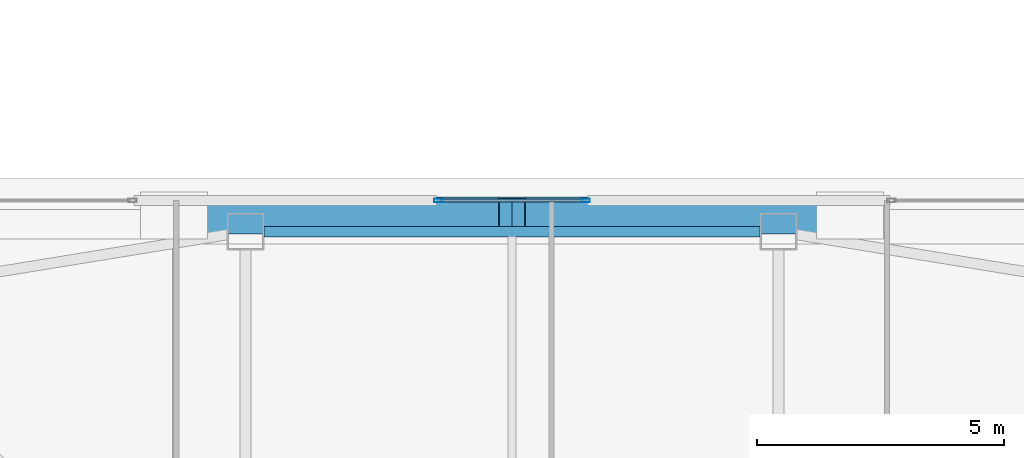
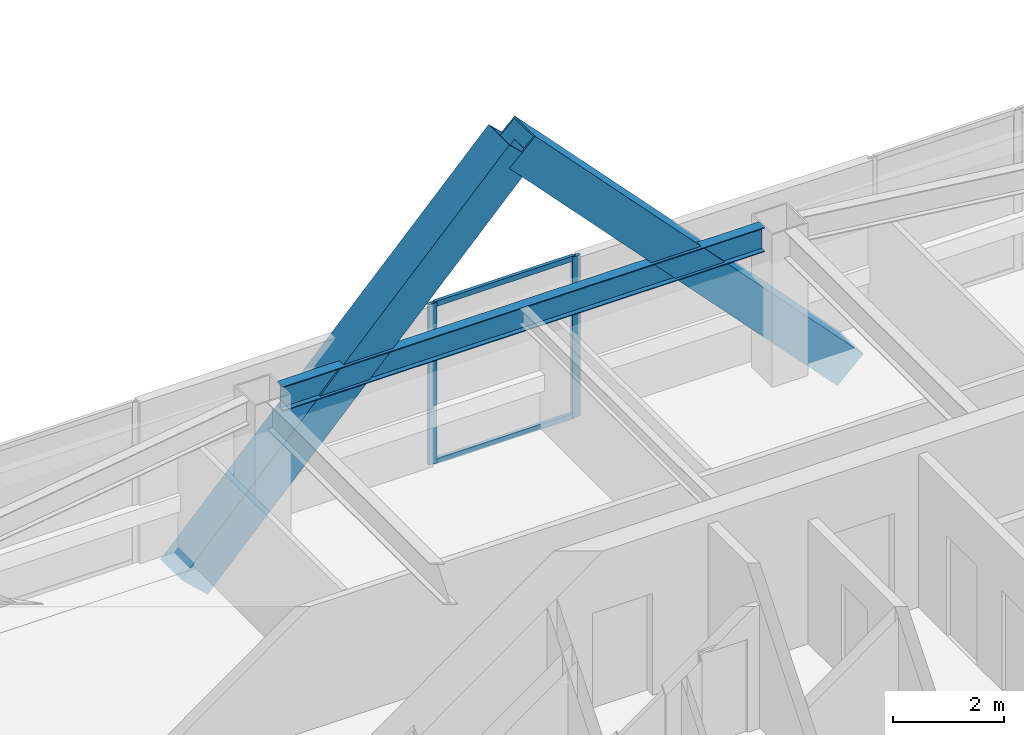
# One storey, part 15 of 39: 6 members, 1 beam, 1 element without a shape of its own.
"""IFC4 building model written with IfcOpenShell, lengths in metres."""

from ifc_helpers import new_model, si_unit, direction, frame, origin, origin_2d, place, context, subcontext, project, spatial, hollow_rectangle, i_section, extrude, material, material_profile, profile_set, type_object, element, aggregate, save


model = new_model("IFC4")

# Units and contexts
model_context = context("Model", 3, precision=1e-05, world=origin(), true_north=direction((0.0, 1.0)))
body_context = subcontext(model_context, "Body", "Model", "MODEL_VIEW")
ifc_project = project(units=[si_unit("LENGTHUNIT", "METRE"), si_unit("AREAUNIT", "SQUARE_METRE"), si_unit("VOLUMEUNIT", "CUBIC_METRE"), si_unit("PLANEANGLEUNIT", "RADIAN"), si_unit("MASSUNIT", "GRAM", prefix="KILO")], contexts=[model_context])

# Site, building, storey
site_placement = place(None, origin())
site = spatial("IfcSite", under=ifc_project, at=site_placement, CompositionType="ELEMENT")
building_placement = place(site_placement, origin())
building = spatial("IfcBuilding", under=site, at=building_placement, Name="Tashvorn Skyway Center", CompositionType="ELEMENT")
storey_placement = place(building_placement, frame((0.0, 0.0, 239.699951171875)))
storey = spatial("IfcBuildingStorey", under=building, at=storey_placement, Name="L65", CompositionType="ELEMENT", Elevation=239.699951171875)

# Beam
ifc_material_1 = material(Name="Steel ASTM A992 Grade 50", Category="steel")
ifc_material_profile_1 = material_profile(ifc_material_1, i_section(OverallWidth=0.2109375, OverallDepth=0.5390625, WebThickness=0.01171875, FlangeThickness=0.018798828125, at=origin_2d()), Name="W21X73")
ifc_profile_set_1 = profile_set([ifc_material_profile_1], Name="Steel ASTM A992 Grade 50")
beam_type = type_object("IfcBeamType", Name="BM-SPANDREL-W21X73", PredefinedType="SPANDREL", material=ifc_profile_set_1)
beam_placement = place(storey_placement, frame((47.030029296875, 47.050048828125, 3.1005859375), z_axis=(-1.0, 0.0, 0.0), x_axis=(0.0, -1.0, 0.0)))
element("IfcBeam", 1, at=beam_placement, inside=storey, type_object=beam_type, Name="Tower 1 L65 Spandrel Beam 08", PredefinedType="SPANDREL", context=body_context, shape_type="SweptSolid", body=[
    extrude(i_section(OverallWidth=0.2109375, OverallDepth=0.5390625, WebThickness=0.01171875, FlangeThickness=0.018798828125, at=origin_2d()), origin(), (0.0, 0.0, 1.0), 10.06005859375),
])

# Curtain wall, members
ifc_material_2 = material(Name="Thermally broken bronze-anodized aluminium 6063-T6", Category="aluminium")
curtain_wall_type = type_object("IfcCurtainWallType", Name="CW-CW-Z5", PredefinedType="NOTDEFINED", material=ifc_material_2)
curtain_wall_placement = place(storey_placement, origin())
curtain_wall = element("IfcCurtainWall", 2, at=curtain_wall_placement, inside=storey, type_object=curtain_wall_type, Name="Tower 1 L65 North Unitised Curtain Wall Glazing Group 2", PredefinedType="NOTDEFINED")
ifc_material_profile_2 = material_profile(ifc_material_2, hollow_rectangle(XDim=0.070068359375, YDim=0.1650390625, WallThickness=0.00390625, at=origin_2d()), Name="ALU-MULL-70x165")
ifc_profile_set_2 = profile_set([ifc_material_profile_2], Name="Thermally broken bronze-anodized aluminium 6063-T6")
member_type_1 = type_object("IfcMemberType", Name="CWM-CW-Z5", PredefinedType="MULLION", material=ifc_profile_set_2)
member_1_placement = place(storey_placement, frame((40.50390625, 47.679931640625, 0.0), z_axis=(0.0, 0.0, 1.0), x_axis=(0.0, 1.0, 0.0)))
member_1 = element("IfcMember", 3, at=member_1_placement, type_object=member_type_1, Name="CW-Z5 mullion 1", PredefinedType="MULLION", context=body_context, shape_type="SweptSolid", body=[
    extrude(hollow_rectangle(XDim=0.070068359375, YDim=0.1650390625, WallThickness=0.00390625, at=origin_2d()), origin(), (0.0, 0.0, 1.0), 3.550048828125),
])
member_2_placement = place(storey_placement, frame((43.49609375, 47.679931640625, 0.0), z_axis=(0.0, 0.0, 1.0), x_axis=(0.0, 1.0, 0.0)))
member_2 = element("IfcMember", 4, at=member_2_placement, type_object=member_type_1, Name="CW-Z5 mullion 2", PredefinedType="MULLION", context=body_context, shape_type="SweptSolid", body=[
    extrude(hollow_rectangle(XDim=0.070068359375, YDim=0.1650390625, WallThickness=0.00390625, at=origin_2d()), origin(), (0.0, 0.0, 1.0), 3.550048828125),
])
ifc_material_profile_3 = material_profile(ifc_material_2, hollow_rectangle(XDim=0.070068359375, YDim=0.114990234375, WallThickness=0.00390625, at=origin_2d()), Name="ALU-TRAN-70x115")
ifc_profile_set_3 = profile_set([ifc_material_profile_3], Name="Thermally broken bronze-anodized aluminium 6063-T6")
member_type_2 = type_object("IfcMemberType", Name="CWT-CW-Z5", PredefinedType="USERDEFINED", material=ifc_profile_set_3)
member_3_placement = place(storey_placement, frame((40.538818359375, 47.679931640625, 0.03515625), z_axis=(1.0, 0.0, 0.0), x_axis=(0.0, 1.0, 0.0)))
member_3 = element("IfcMember", 5, at=member_3_placement, type_object=member_type_2, Name="CW-Z5 transom 1.1", ObjectType="TRANSOM", PredefinedType="USERDEFINED", context=body_context, shape_type="SweptSolid", body=[
    extrude(hollow_rectangle(XDim=0.070068359375, YDim=0.114990234375, WallThickness=0.00390625, at=origin_2d()), origin(), (0.0, 0.0, 1.0), 2.92236328125),
])
member_4_placement = place(storey_placement, frame((40.538818359375, 47.679931640625, 3.51513671875), z_axis=(1.0, 0.0, 0.0), x_axis=(0.0, 1.0, 0.0)))
member_4 = element("IfcMember", 6, at=member_4_placement, type_object=member_type_2, Name="CW-Z5 transom 1.2", ObjectType="TRANSOM", PredefinedType="USERDEFINED", context=body_context, shape_type="SweptSolid", body=[
    extrude(hollow_rectangle(XDim=0.070068359375, YDim=0.114990234375, WallThickness=0.00390625, at=origin_2d()), origin(), (0.0, 0.0, 1.0), 2.92236328125),
])
aggregate(curtain_wall, [member_1, member_2, member_3, member_4])

# Members
ifc_material_3 = material(Name="Steel ASTM A572 Grade 50", Category="steel")
ifc_material_profile_4 = material_profile(ifc_material_3, hollow_rectangle(XDim=0.75, YDim=0.75, WallThickness=0.031982421875, at=origin_2d()), Name="BOX750x750x32")
ifc_profile_set_4 = profile_set([ifc_material_profile_4], Name="Steel ASTM A572 Grade 50")
member_type_3 = type_object("IfcMemberType", Name="MEM-MB-750", PredefinedType="BRACE", material=ifc_profile_set_4)
for number, where, z_axis, x_axis, name in (
    (7, (48.85009765625, 47.3798828125, -0.449951171875), (-0.689285797105, 0.0, 0.724489537474), (0.0, -1.0, 0.0), "Tower 1 Zone 6 N Chevron Mega-Brace L2"),
    (8, (35.14990234375, 47.3798828125, -0.449951171875), (0.689285797105, 0.0, 0.724489537474), (0.0, 1.0, 0.0), "Tower 1 Zone 6 N Chevron Mega-Brace R2"),
):
    element("IfcMember", number, at=place(storey_placement, frame(where, z_axis=z_axis, x_axis=x_axis)), inside=storey, type_object=member_type_3, Name=name, PredefinedType="BRACE", context=body_context, shape_type="SweptSolid", body=[
        extrude(hollow_rectangle(XDim=0.75, YDim=0.75, WallThickness=0.031982421875, at=origin_2d()), origin(), (0.0, 0.0, 1.0), 9.93798828125),
    ])

save(model, "model.ifc")
